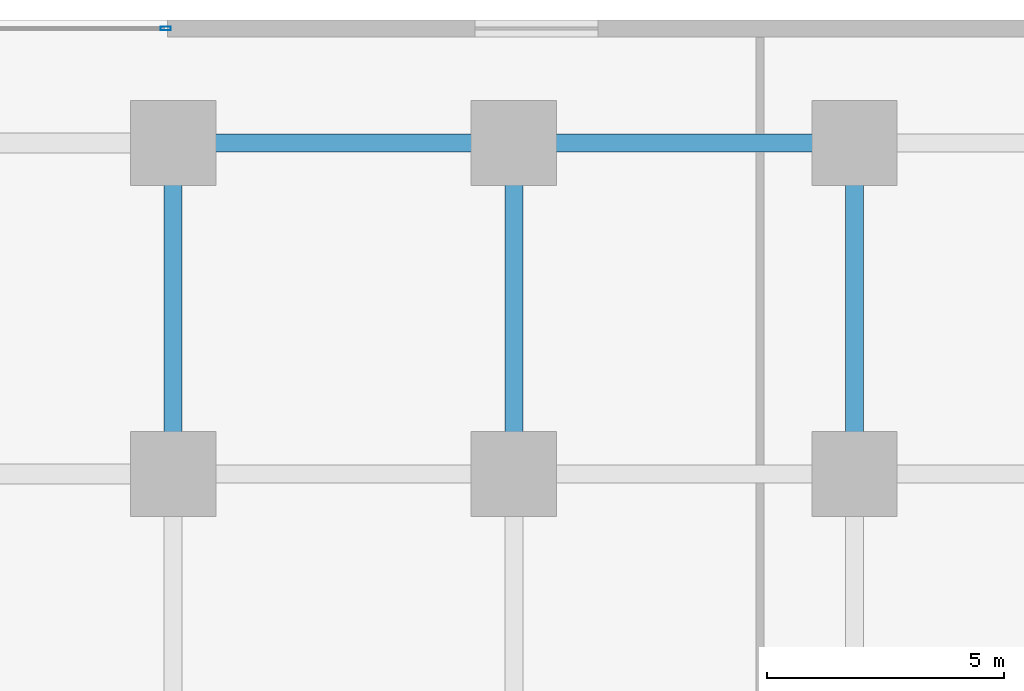
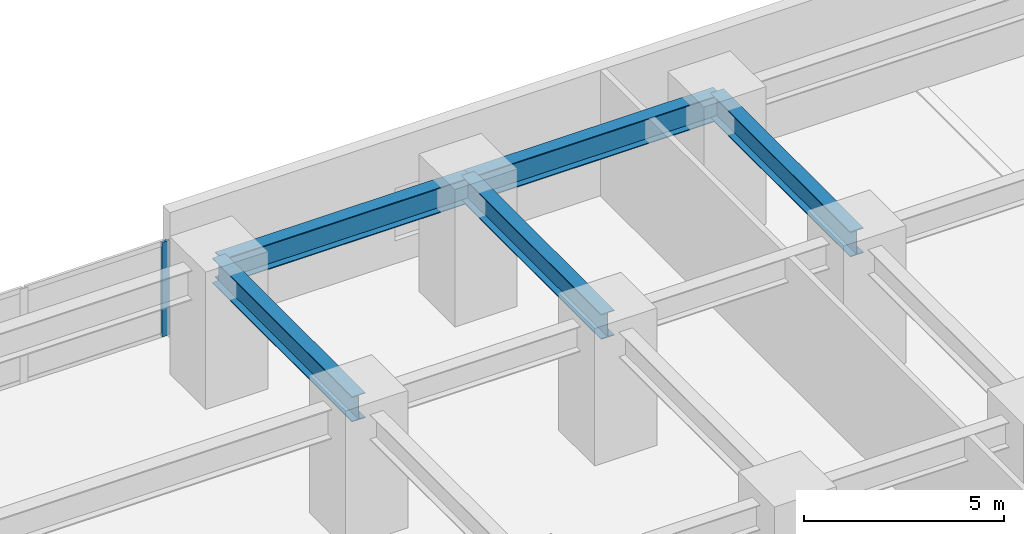
# One storey, part 8 of 22: 5 beams, 1 member, 1 element without a shape of its own.
"""IFC4 building model written with IfcOpenShell, lengths in metres."""

from ifc_helpers import new_model, si_unit, direction, frame, origin, origin_2d, place, context, subcontext, project, spatial, hollow_rectangle, i_section, extrude, material, layer, layer_set, material_profile, profile_set, type_object, element, aggregate, save


model = new_model("IFC4")

# Units and contexts
model_context = context("Model", 3, precision=1e-05, world=origin(), true_north=direction((0.0, 1.0)))
body_context = subcontext(model_context, "Body", "Model", "MODEL_VIEW")
ifc_project = project(units=[si_unit("LENGTHUNIT", "METRE"), si_unit("AREAUNIT", "SQUARE_METRE"), si_unit("VOLUMEUNIT", "CUBIC_METRE"), si_unit("PLANEANGLEUNIT", "RADIAN"), si_unit("MASSUNIT", "GRAM", prefix="KILO")], contexts=[model_context])

# Site, building, storey
site_placement = place(None, origin())
site = spatial("IfcSite", under=ifc_project, at=site_placement, CompositionType="ELEMENT")
building_placement = place(site_placement, origin())
building = spatial("IfcBuilding", under=site, at=building_placement, Name="Kiyonajd Concourse Tower", CompositionType="ELEMENT")
storey_placement = place(building_placement, frame((0.0, 0.0, 12.89990234375)))
storey = spatial("IfcBuildingStorey", under=building, at=storey_placement, Name="L04", CompositionType="ELEMENT", Elevation=12.89990234375)

# Beams
ifc_material_1 = material(Name="Steel ASTM A992 Grade 50", Category="steel")
ifc_material_profile_1 = material_profile(ifc_material_1, i_section(OverallWidth=0.381103515625, OverallDepth=0.77294921875, WebThickness=0.0166015625, FlangeThickness=0.027099609375, at=origin_2d()), Name="W760X257")
ifc_profile_set_1 = profile_set([ifc_material_profile_1], Name="Steel ASTM A992 Grade 50")
beam_type = type_object("IfcBeamType", Name="BM-POD-760", PredefinedType="BEAM", material=ifc_profile_set_1)
beam_1_placement = place(storey_placement, frame((56.39990234375, 69.39990234375, 3.45361328125), z_axis=(1.0, 0.0, 0.0), x_axis=(0.0, 1.0, 0.0)))
element("IfcBeam", 1, at=beam_1_placement, inside=storey, type_object=beam_type, Name="L04 Podium Primary Beam", PredefinedType="BEAM", context=body_context, shape_type="SweptSolid", body=[
    extrude(i_section(OverallWidth=0.381103515625, OverallDepth=0.77294921875, WebThickness=0.0166015625, FlangeThickness=0.027099609375, at=origin_2d()), origin(), (0.0, 0.0, 1.0), 7.2001953125),
])
beam_2_placement = place(storey_placement, frame((63.60009765625, 69.39990234375, 3.45361328125), z_axis=(1.0, 0.0, 0.0), x_axis=(0.0, 1.0, 0.0)))
element("IfcBeam", 2, at=beam_2_placement, inside=storey, type_object=beam_type, Name="L04 Podium Primary Beam", PredefinedType="BEAM", context=body_context, shape_type="SweptSolid", body=[
    extrude(i_section(OverallWidth=0.381103515625, OverallDepth=0.77294921875, WebThickness=0.0166015625, FlangeThickness=0.027099609375, at=origin_2d()), origin(), (0.0, 0.0, 1.0), 7.199951171875),
])
for number, where, z_axis, x_axis, name in (
    (3, (56.39990234375, 62.39990234375, 3.45361328125), (0.0, 1.0, 0.0), (-1.0, 0.0, 0.0), "L04 Podium North South Beam"),
    (4, (63.60009765625, 62.39990234375, 3.45361328125), (0.0, 1.0, 0.0), (-1.0, 0.0, 0.0), "L04 Podium North South Beam"),
    (5, (70.800048828125, 62.39990234375, 3.45361328125), (0.0, 1.0, 0.0), (-1.0, 0.0, 0.0), "L04 Podium North South Beam"),
):
    element("IfcBeam", number, at=place(storey_placement, frame(where, z_axis=z_axis, x_axis=x_axis)), inside=storey, type_object=beam_type, Name=name, PredefinedType="BEAM", context=body_context, shape_type="SweptSolid", body=[
        extrude(i_section(OverallWidth=0.381103515625, OverallDepth=0.77294921875, WebThickness=0.0166015625, FlangeThickness=0.027099609375, at=origin_2d()), origin(), (0.0, 0.0, 1.0), 7.0),
    ])

# Curtain wall, member
ifc_material_2 = material(Name="Thermally Broken Anodised Aluminium", Category="aluminium")
ifc_layer = layer(ifc_material_2, 0.179931640625)
ifc_layer_set = layer_set([ifc_layer], Name="Thermally Broken Anodised Aluminium")
curtain_wall_type = type_object("IfcCurtainWallType", Name="CW-SYS-01", PredefinedType="NOTDEFINED", material=ifc_layer_set)
curtain_wall_placement = place(storey_placement, origin())
curtain_wall = element("IfcCurtainWall", 6, at=curtain_wall_placement, inside=storey, type_object=curtain_wall_type, Name="L04 Unitised Curtain Wall CW1", PredefinedType="NOTDEFINED")
ifc_material_profile_2 = material_profile(ifc_material_2, hollow_rectangle(XDim=0.074951171875, YDim=0.219970703125, WallThickness=0.0048828125, at=origin_2d()), Name="MULL-75x220")
ifc_profile_set_2 = profile_set([ifc_material_profile_2], Name="Thermally Broken Anodised Aluminium")
member_type = type_object("IfcMemberType", Name="MB-CW-MULL2", PredefinedType="MULLION", material=ifc_profile_set_2)
member_placement = place(storey_placement, frame((56.242431640625, 71.820068359375, 0.0), z_axis=(0.0, 0.0, 1.0), x_axis=(0.0, 1.0, 0.0)))
member = element("IfcMember", 7, at=member_placement, type_object=member_type, Name="CW1 mullion 5", PredefinedType="MULLION", context=body_context, shape_type="SweptSolid", body=[
    extrude(hollow_rectangle(XDim=0.074951171875, YDim=0.219970703125, WallThickness=0.0048828125, at=origin_2d()), origin(), (0.0, 0.0, 1.0), 2.89013671875),
])
aggregate(curtain_wall, [member])

save(model, "model.ifc")
